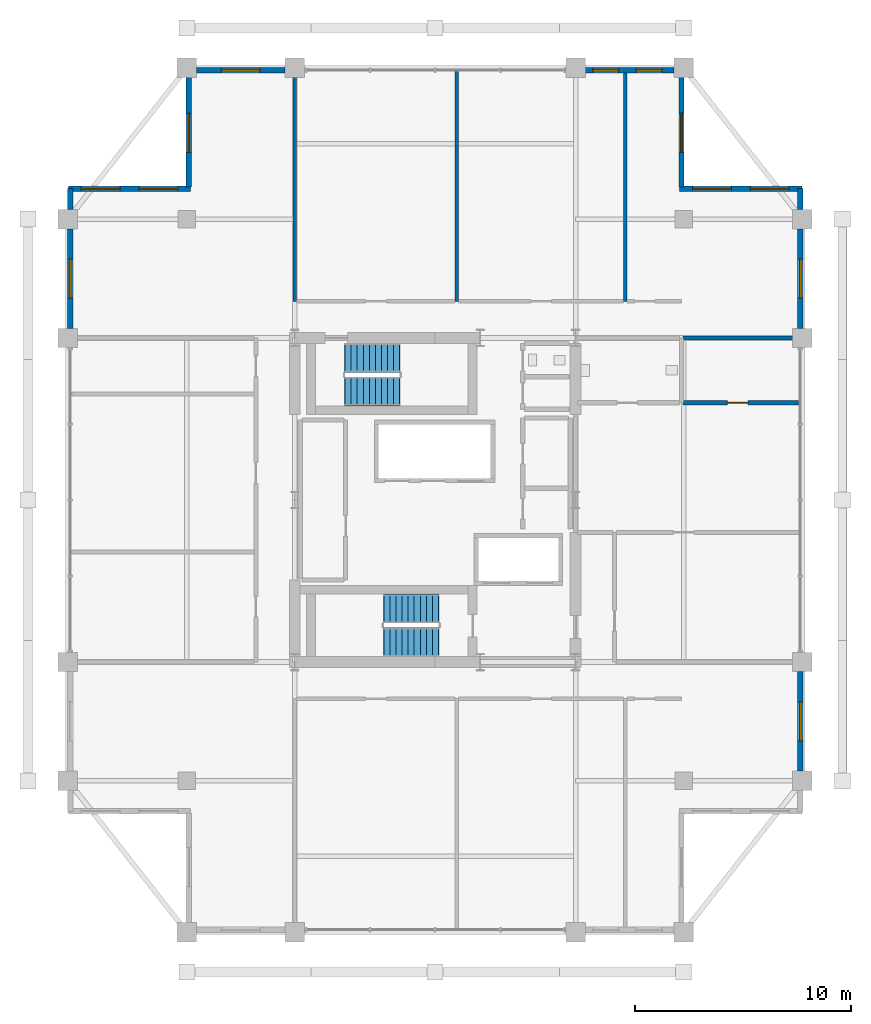
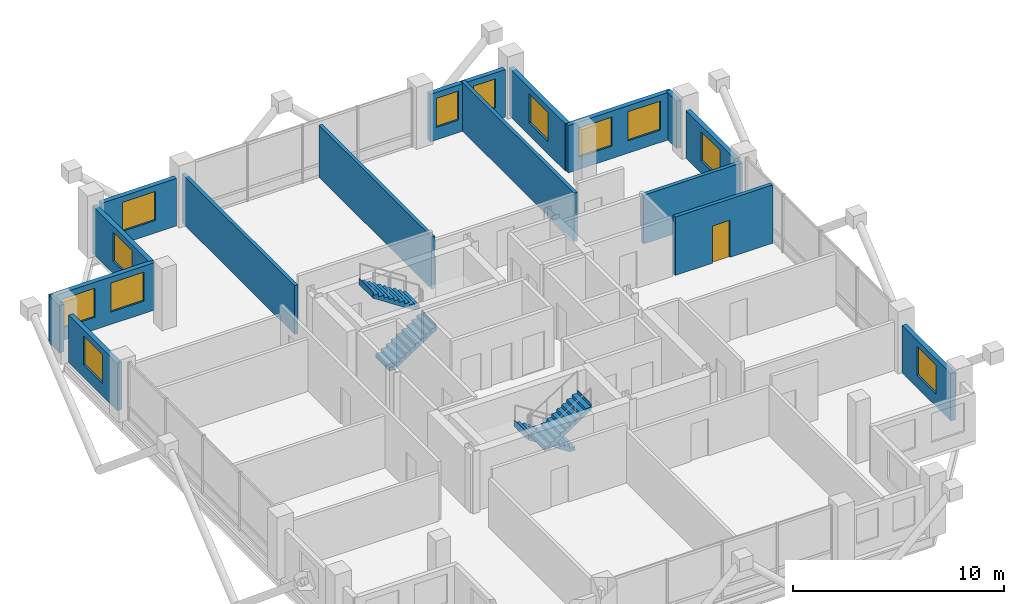
# One storey, part 20 of 22: 16 walls, 12 windows, 4 stair flights, 1 door, 13 openings, 2 elements without a shape of their own.
"""IFC4 building model written with IfcOpenShell, lengths in metres."""

from ifc_helpers import new_model, si_unit, direction, frame, frame_2d, origin, place, context, subcontext, project, spatial, polyline, rectangle, outline, extrude, material, layer, layer_set, type_object, element, fill, aggregate, save


model = new_model("IFC4")

# Units and contexts
model_context = context("Model", 3, precision=1e-05, world=origin(), true_north=direction((0.0, 1.0)))
body_context = subcontext(model_context, "Body", "Model", "MODEL_VIEW")
ifc_project = project(units=[si_unit("LENGTHUNIT", "METRE"), si_unit("AREAUNIT", "SQUARE_METRE"), si_unit("VOLUMEUNIT", "CUBIC_METRE"), si_unit("PLANEANGLEUNIT", "RADIAN"), si_unit("MASSUNIT", "GRAM", prefix="KILO")], contexts=[model_context])

# Site, building, storey
site_placement = place(None, origin())
site = spatial("IfcSite", under=ifc_project, at=site_placement, CompositionType="ELEMENT")
building_placement = place(site_placement, origin())
building = spatial("IfcBuilding", under=site, at=building_placement, Name="Barlavira Tower and Art Museum", CompositionType="ELEMENT")
storey_placement = place(building_placement, frame((0.0, 0.0, 269.10009765625)))
storey = spatial("IfcBuildingStorey", under=building, at=storey_placement, Name="L70", CompositionType="ELEMENT", Elevation=269.10009765625)

# Wall, opening, door
ifc_material_1 = material(Name="Autoclaved aerated concrete masonry", Category="masonry")
ifc_layer_1 = layer(ifc_material_1, 0.199951171875, Name="Autoclaved aerated concrete masonry")
ifc_layer_set_1 = layer_set([ifc_layer_1], Name="Autoclaved aerated concrete masonry")
wall_type_1 = type_object("IfcWallType", Name="Fire Compartment and Shaft Wall 200", PredefinedType="SOLIDWALL", material=ifc_layer_set_1)
wall_1_placement = place(storey_placement, frame((11.47998046875, 4.5, 0.0), z_axis=(0.0, 0.0, 1.0), x_axis=(1.0, 0.0, 0.0)))
wall_1 = element("IfcWall", 1, at=wall_1_placement, inside=storey, type_object=wall_type_1, Name="L70 Partition Wall 30", PredefinedType="SOLIDWALL", context=body_context, shape_type="SweptSolid", body=[
    extrude(rectangle(XDim=5.340087890625, YDim=0.199951171875, at=frame_2d((2.669921875, 0.0))), origin(), (0.0, 0.0, 1.0), 3.3798828125),
])
opening_1_placement = place(wall_1_placement, frame((2.044921875, 0.0, 0.0)))
opening_1 = element("IfcOpeningElement", 2, at=opening_1_placement, cuts=wall_1, Name="Opening FD-60", PredefinedType="OPENING", context=body_context, shape_type="SweptSolid", body=[
    extrude(rectangle(XDim=0.949951171875, YDim=2.14990234375, at=frame_2d((0.47509765625, 1.074951171875))), frame((0.0, 0.10986328125, 0.0), z_axis=(0.0, -1.0, 0.0), x_axis=(1.0, 0.0, 0.0)), (0.0, 0.0, 1.0), 0.219970703125),
])
ifc_material_2 = material(Name="Brushed stainless steel", Category="steel")
door_type = type_object("IfcDoorType", Name="Apartment Entrance and Riser Fire Door 950x2150 FD60S", OperationType="NOTDEFINED", PredefinedType="DOOR", material=ifc_material_2)
door_placement = place(opening_1_placement, origin())
door = element("IfcDoor", 3, at=door_placement, inside=storey, type_object=door_type, Name="High-Rise Amenity Linen Store Door", OperationType="SINGLE_SWING_LEFT", OverallHeight=2.14990234375, OverallWidth=0.949951171875, PredefinedType="DOOR", context=body_context, shape_type="SweptSolid", body=[
    extrude(rectangle(XDim=0.949951171875, YDim=2.14990234375, at=frame_2d((0.47509765625, 1.074951171875))), frame((0.0, 0.02490234375, 0.0), z_axis=(0.0, -1.0, 0.0), x_axis=(1.0, 0.0, 0.0)), (0.0, 0.0, 1.0), 0.050048828125),
])
fill(opening_1, door)

# Walls
wall_2_placement = place(storey_placement, frame((11.47998046875, 7.5, 0.0), z_axis=(0.0, 0.0, 1.0), x_axis=(1.0, 0.0, 0.0)))
element("IfcWall", 4, at=wall_2_placement, inside=storey, type_object=wall_type_1, Name="L70 Partition Wall 36", PredefinedType="SOLIDWALL", context=body_context, shape_type="SweptSolid", body=[
    extrude(rectangle(XDim=5.419921875, YDim=0.199951171875, at=frame_2d((2.7099609375, 0.0))), origin(), (0.0, 0.0, 1.0), 2.825927734375),
])
ifc_material_3 = material(Name="Gypsum acoustic stud partition", Category="gypsum")
ifc_layer_2 = layer(ifc_material_3, 0.179931640625, Name="Gypsum acoustic stud partition")
ifc_layer_set_2 = layer_set([ifc_layer_2], Name="Gypsum acoustic stud partition")
wall_type_2 = type_object("IfcWallType", Name="Inter-Tenancy Party Partition Wall 180", PredefinedType="PARTITIONING", material=ifc_layer_set_2)
wall_3_placement = place(storey_placement, frame((-6.5, 9.199951171875, 0.0), z_axis=(0.0, 0.0, 1.0), x_axis=(0.0, 1.0, 0.0)))
element("IfcWall", 5, at=wall_3_placement, inside=storey, type_object=wall_type_2, Name="L70 Partition Wall 3", PredefinedType="PARTITIONING", context=body_context, shape_type="SweptSolid", body=[
    extrude(rectangle(XDim=10.699951171875, YDim=0.179931640625, at=frame_2d((5.35009765625, 0.0))), origin(), (0.0, 0.0, 1.0), 2.825927734375),
])
wall_4_placement = place(storey_placement, frame((1.0, 9.199951171875, 0.0), z_axis=(0.0, 0.0, 1.0), x_axis=(0.0, 1.0, 0.0)))
element("IfcWall", 6, at=wall_4_placement, inside=storey, type_object=wall_type_2, Name="L70 Partition Wall 7", PredefinedType="PARTITIONING", context=body_context, shape_type="SweptSolid", body=[
    extrude(rectangle(XDim=10.699951171875, YDim=0.179931640625, at=frame_2d((5.35009765625, 0.0))), origin(), (0.0, 0.0, 1.0), 3.017822265625),
])
wall_5_placement = place(storey_placement, frame((8.800048828125, 9.199951171875, 0.0), z_axis=(0.0, 0.0, 1.0), x_axis=(0.0, 1.0, 0.0)))
element("IfcWall", 7, at=wall_5_placement, inside=storey, type_object=wall_type_2, Name="L70 Partition Wall 14", PredefinedType="PARTITIONING", context=body_context, shape_type="SweptSolid", body=[
    extrude(rectangle(XDim=10.699951171875, YDim=0.179931640625, at=frame_2d((5.35009765625, 0.0))), origin(), (0.0, 0.0, 1.0), 2.825927734375),
])

# Wall, openings, windows
ifc_material_4 = material(Name="Precast concrete C40", Category="concrete")
ifc_layer_3 = layer(ifc_material_4, 0.25, Name="Precast concrete C40")
ifc_layer_set_3 = layer_set([ifc_layer_3], Name="Precast concrete C40")
wall_type_3 = type_object("IfcWallType", Name="Notched Corner Spandrel Wall 250 Precast Concrete C40", PredefinedType="SOLIDWALL", material=ifc_layer_set_3)
wall_6_placement = place(storey_placement, frame((11.054931640625, 19.89990234375, 0.0), z_axis=(0.0, 0.0, 1.0), x_axis=(-1.0, 0.0, 0.0)))
wall_6 = element("IfcWall", 8, at=wall_6_placement, inside=storey, type_object=wall_type_3, Name="L70 Coastal Facade Pier Wall CW4-L70-N-1", PredefinedType="SOLIDWALL", context=body_context, shape_type="SweptSolid", body=[
    extrude(rectangle(XDim=4.10986328125, YDim=0.25, at=frame_2d((2.054931640625, 0.0))), origin(), (0.0, 0.0, 1.0), 2.747802734375),
])
opening_2_placement = place(wall_6_placement, frame((0.550048828125, 0.0, 0.719970703125)))
opening_2 = element("IfcOpeningElement", 9, at=opening_2_placement, cuts=wall_6, Name="Opening WN-05", PredefinedType="OPENING", context=body_context, shape_type="SweptSolid", body=[
    extrude(rectangle(XDim=1.199951171875, YDim=1.679931640625, at=frame_2d((0.60009765625, 0.83984375))), frame((0.0, 0.135009765625, 0.0), z_axis=(0.0, -1.0, 0.0), x_axis=(1.0, 0.0, 0.0)), (0.0, 0.0, 1.0), 0.27001953125),
])
opening_3_placement = place(wall_6_placement, frame((2.56005859375, 0.0, 0.719970703125)))
opening_3 = element("IfcOpeningElement", 10, at=opening_3_placement, cuts=wall_6, Name="Opening WN-05", PredefinedType="OPENING", context=body_context, shape_type="SweptSolid", body=[
    extrude(rectangle(XDim=1.199951171875, YDim=1.679931640625, at=frame_2d((0.60009765625, 0.83984375))), frame((0.0, 0.135009765625, 0.0), z_axis=(0.0, -1.0, 0.0), x_axis=(1.0, 0.0, 0.0)), (0.0, 0.0, 1.0), 0.27001953125),
])
ifc_material_5 = material(Name="Low-iron coastal laminated glass", Category="glass")
window_type_1 = type_object("IfcWindowType", Name="Recessed Flank Pier Punch Window 1200x1680", PartitioningType="SINGLE_PANEL", PredefinedType="WINDOW", material=ifc_material_5)
window_1_placement = place(opening_2_placement, origin())
window_1 = element("IfcWindow", 11, at=window_1_placement, inside=storey, type_object=window_type_1, Name="L70 Punched Facade Window EWP-CW4-L70-N-1-1", OverallHeight=1.679931640625, OverallWidth=1.199951171875, PartitioningType="SINGLE_PANEL", PredefinedType="WINDOW", context=body_context, shape_type="SweptSolid", body=[
    extrude(rectangle(XDim=1.199951171875, YDim=1.679931640625, at=frame_2d((0.60009765625, 0.83984375))), frame((0.0, 0.030029296875, 0.0), z_axis=(0.0, -1.0, 0.0), x_axis=(1.0, 0.0, 0.0)), (0.0, 0.0, 1.0), 0.06005859375),
])
fill(opening_2, window_1)
window_2_placement = place(opening_3_placement, origin())
window_2 = element("IfcWindow", 12, at=window_2_placement, inside=storey, type_object=window_type_1, Name="L70 Punched Facade Window EWP-CW4-L70-N-1-2", OverallHeight=1.679931640625, OverallWidth=1.199951171875, PartitioningType="SINGLE_PANEL", PredefinedType="WINDOW", context=body_context, shape_type="SweptSolid", body=[
    extrude(rectangle(XDim=1.199951171875, YDim=1.679931640625, at=frame_2d((0.60009765625, 0.83984375))), frame((0.0, 0.030029296875, 0.0), z_axis=(0.0, -1.0, 0.0), x_axis=(1.0, 0.0, 0.0)), (0.0, 0.0, 1.0), 0.06005859375),
])
fill(opening_3, window_2)

# Wall, opening, window
wall_7_placement = place(storey_placement, frame((-6.945068359375, 19.89990234375, 0.0), z_axis=(0.0, 0.0, 1.0), x_axis=(-1.0, 0.0, 0.0)))
wall_7 = element("IfcWall", 13, at=wall_7_placement, inside=storey, type_object=wall_type_3, Name="L70 Coastal Facade Pier Wall CW4-L70-N-3", PredefinedType="SOLIDWALL", context=body_context, shape_type="SweptSolid", body=[
    extrude(rectangle(XDim=4.10986328125, YDim=0.25, at=frame_2d((2.054931640625, 0.0))), origin(), (0.0, 0.0, 1.0), 2.747802734375),
])
opening_4_placement = place(wall_7_placement, frame((1.155029296875, 0.0, 0.719970703125)))
opening_4 = element("IfcOpeningElement", 14, at=opening_4_placement, cuts=wall_7, Name="Opening WN-01", PredefinedType="OPENING", context=body_context, shape_type="SweptSolid", body=[
    extrude(rectangle(XDim=1.800048828125, YDim=1.679931640625, at=frame_2d((0.89990234375, 0.83984375))), frame((0.0, 0.135009765625, 0.0), z_axis=(0.0, -1.0, 0.0), x_axis=(1.0, 0.0, 0.0)), (0.0, 0.0, 1.0), 0.27001953125),
])
window_type_2 = type_object("IfcWindowType", Name="Recessed Notch Corner Punch Window 1800x1680", PartitioningType="SINGLE_PANEL", PredefinedType="WINDOW", material=ifc_material_5)
window_3_placement = place(opening_4_placement, origin())
window_3 = element("IfcWindow", 15, at=window_3_placement, inside=storey, type_object=window_type_2, Name="L70 Punched Facade Window EWP-CW4-L70-N-3-1", OverallHeight=1.679931640625, OverallWidth=1.800048828125, PartitioningType="SINGLE_PANEL", PredefinedType="WINDOW", context=body_context, shape_type="SweptSolid", body=[
    extrude(rectangle(XDim=1.800048828125, YDim=1.679931640625, at=frame_2d((0.89990234375, 0.83984375))), frame((0.0, 0.030029296875, 0.0), z_axis=(0.0, -1.0, 0.0), x_axis=(1.0, 0.0, 0.0)), (0.0, 0.0, 1.0), 0.06005859375),
])
fill(opening_4, window_3)

# Wall
wall_8_placement = place(storey_placement, frame((-16.89990234375, 14.425048828125, 0.0), z_axis=(0.0, 0.0, 1.0), x_axis=(0.0, -1.0, 0.0)))
element("IfcWall", 16, at=wall_8_placement, inside=storey, type_object=wall_type_3, Name="L70 Coastal Facade Pier Wall CW4-L70-W-1", PredefinedType="SOLIDWALL", context=body_context, shape_type="SweptSolid", body=[
    extrude(rectangle(XDim=0.97998046875, YDim=0.25, at=frame_2d((0.489990234375, 0.0))), origin(), (0.0, 0.0, 1.0), 2.747802734375),
])

# Wall, opening, window
wall_9_placement = place(storey_placement, frame((-16.89990234375, 12.554931640625, 0.0), z_axis=(0.0, 0.0, 1.0), x_axis=(0.0, -1.0, 0.0)))
wall_9 = element("IfcWall", 17, at=wall_9_placement, inside=storey, type_object=wall_type_3, Name="L70 Coastal Facade Pier Wall CW4-L70-W-2", PredefinedType="SOLIDWALL", context=body_context, shape_type="SweptSolid", body=[
    extrude(rectangle(XDim=4.60986328125, YDim=0.25, at=frame_2d((2.304931640625, 0.0))), origin(), (0.0, 0.0, 1.0), 2.747802734375),
])
opening_5_placement = place(wall_9_placement, frame((1.405029296875, 0.0, 0.719970703125)))
opening_5 = element("IfcOpeningElement", 18, at=opening_5_placement, cuts=wall_9, Name="Opening WN-01", PredefinedType="OPENING", context=body_context, shape_type="SweptSolid", body=[
    extrude(rectangle(XDim=1.800048828125, YDim=1.679931640625, at=frame_2d((0.89990234375, 0.83984375))), frame((0.0, 0.135009765625, 0.0), z_axis=(0.0, -1.0, 0.0), x_axis=(1.0, 0.0, 0.0)), (0.0, 0.0, 1.0), 0.27001953125),
])
window_4_placement = place(opening_5_placement, origin())
window_4 = element("IfcWindow", 19, at=window_4_placement, inside=storey, type_object=window_type_2, Name="L70 Punched Facade Window EWP-CW4-L70-W-2-1", OverallHeight=1.679931640625, OverallWidth=1.800048828125, PartitioningType="SINGLE_PANEL", PredefinedType="WINDOW", context=body_context, shape_type="SweptSolid", body=[
    extrude(rectangle(XDim=1.800048828125, YDim=1.679931640625, at=frame_2d((0.89990234375, 0.83984375))), frame((0.0, 0.030029296875, 0.0), z_axis=(0.0, -1.0, 0.0), x_axis=(1.0, 0.0, 0.0)), (0.0, 0.0, 1.0), 0.06005859375),
])
fill(opening_5, window_4)

wall_10_placement = place(storey_placement, frame((16.89990234375, -12.554931640625, 0.0), z_axis=(0.0, 0.0, 1.0), x_axis=(0.0, 1.0, 0.0)))
wall_10 = element("IfcWall", 20, at=wall_10_placement, inside=storey, type_object=wall_type_3, Name="L70 Coastal Facade Pier Wall CW4-L70-E-2", PredefinedType="SOLIDWALL", context=body_context, shape_type="SweptSolid", body=[
    extrude(rectangle(XDim=4.60986328125, YDim=0.25, at=frame_2d((2.304931640625, 0.0))), origin(), (0.0, 0.0, 1.0), 2.747802734375),
])
opening_6_placement = place(wall_10_placement, frame((1.405029296875, 0.0, 0.719970703125)))
opening_6 = element("IfcOpeningElement", 21, at=opening_6_placement, cuts=wall_10, Name="Opening WN-01", PredefinedType="OPENING", context=body_context, shape_type="SweptSolid", body=[
    extrude(rectangle(XDim=1.800048828125, YDim=1.679931640625, at=frame_2d((0.89990234375, 0.83984375))), frame((0.0, 0.135009765625, 0.0), z_axis=(0.0, -1.0, 0.0), x_axis=(1.0, 0.0, 0.0)), (0.0, 0.0, 1.0), 0.27001953125),
])
window_5_placement = place(opening_6_placement, origin())
window_5 = element("IfcWindow", 22, at=window_5_placement, inside=storey, type_object=window_type_2, Name="L70 Punched Facade Window EWP-CW4-L70-E-2-1", OverallHeight=1.679931640625, OverallWidth=1.800048828125, PartitioningType="SINGLE_PANEL", PredefinedType="WINDOW", context=body_context, shape_type="SweptSolid", body=[
    extrude(rectangle(XDim=1.800048828125, YDim=1.679931640625, at=frame_2d((0.89990234375, 0.83984375))), frame((0.0, 0.030029296875, 0.0), z_axis=(0.0, -1.0, 0.0), x_axis=(1.0, 0.0, 0.0)), (0.0, 0.0, 1.0), 0.06005859375),
])
fill(opening_6, window_5)

wall_11_placement = place(storey_placement, frame((16.89990234375, 7.945068359375, 0.0), z_axis=(0.0, 0.0, 1.0), x_axis=(0.0, 1.0, 0.0)))
wall_11 = element("IfcWall", 23, at=wall_11_placement, inside=storey, type_object=wall_type_3, Name="L70 Coastal Facade Pier Wall CW4-L70-E-4", PredefinedType="SOLIDWALL", context=body_context, shape_type="SweptSolid", body=[
    extrude(rectangle(XDim=4.60986328125, YDim=0.25, at=frame_2d((2.304931640625, 0.0))), origin(), (0.0, 0.0, 1.0), 2.747802734375),
])
opening_7_placement = place(wall_11_placement, frame((1.405029296875, 0.0, 0.719970703125)))
opening_7 = element("IfcOpeningElement", 24, at=opening_7_placement, cuts=wall_11, Name="Opening WN-01", PredefinedType="OPENING", context=body_context, shape_type="SweptSolid", body=[
    extrude(rectangle(XDim=1.800048828125, YDim=1.679931640625, at=frame_2d((0.89990234375, 0.83984375))), frame((0.0, 0.135009765625, 0.0), z_axis=(0.0, -1.0, 0.0), x_axis=(1.0, 0.0, 0.0)), (0.0, 0.0, 1.0), 0.27001953125),
])
window_6_placement = place(opening_7_placement, origin())
window_6 = element("IfcWindow", 25, at=window_6_placement, inside=storey, type_object=window_type_2, Name="L70 Punched Facade Window EWP-CW4-L70-E-4-1", OverallHeight=1.679931640625, OverallWidth=1.800048828125, PartitioningType="SINGLE_PANEL", PredefinedType="WINDOW", context=body_context, shape_type="SweptSolid", body=[
    extrude(rectangle(XDim=1.800048828125, YDim=1.679931640625, at=frame_2d((0.89990234375, 0.83984375))), frame((0.0, 0.030029296875, 0.0), z_axis=(0.0, -1.0, 0.0), x_axis=(1.0, 0.0, 0.0)), (0.0, 0.0, 1.0), 0.06005859375),
])
fill(opening_7, window_6)

# Wall
wall_12_placement = place(storey_placement, frame((16.89990234375, 13.445068359375, 0.0), z_axis=(0.0, 0.0, 1.0), x_axis=(0.0, 1.0, 0.0)))
element("IfcWall", 26, at=wall_12_placement, inside=storey, type_object=wall_type_3, Name="L70 Coastal Facade Pier Wall CW4-L70-E-5", PredefinedType="SOLIDWALL", context=body_context, shape_type="SweptSolid", body=[
    extrude(rectangle(XDim=0.97998046875, YDim=0.25, at=frame_2d((0.489990234375, 0.0))), origin(), (0.0, 0.0, 1.0), 2.747802734375),
])

# Wall, openings, windows
wall_13_placement = place(storey_placement, frame((16.97998046875, 14.39990234375, 0.0), z_axis=(0.0, 0.0, 1.0), x_axis=(-1.0, 0.0, 0.0)))
wall_13 = element("IfcWall", 27, at=wall_13_placement, inside=storey, type_object=wall_type_3, Name="L70 Notch Corner Wall NE1", PredefinedType="SOLIDWALL", context=body_context, shape_type="SweptSolid", body=[
    extrude(rectangle(XDim=5.659912109375, YDim=0.25, at=frame_2d((2.830078125, 0.0))), origin(), (0.0, 0.0, 1.0), 2.747802734375),
])
opening_8_placement = place(wall_13_placement, frame((0.594970703125, 0.0, 0.719970703125)))
opening_8 = element("IfcOpeningElement", 28, at=opening_8_placement, cuts=wall_13, Name="Opening WN-01", PredefinedType="OPENING", context=body_context, shape_type="SweptSolid", body=[
    extrude(rectangle(XDim=1.800048828125, YDim=1.679931640625, at=frame_2d((0.89990234375, 0.83984375))), frame((0.0, 0.135009765625, 0.0), z_axis=(0.0, -1.0, 0.0), x_axis=(1.0, 0.0, 0.0)), (0.0, 0.0, 1.0), 0.27001953125),
])
opening_9_placement = place(wall_13_placement, frame((3.264892578125, 0.0, 0.719970703125)))
opening_9 = element("IfcOpeningElement", 29, at=opening_9_placement, cuts=wall_13, Name="Opening WN-01", PredefinedType="OPENING", context=body_context, shape_type="SweptSolid", body=[
    extrude(rectangle(XDim=1.800048828125, YDim=1.679931640625, at=frame_2d((0.89990234375, 0.83984375))), frame((0.0, 0.135009765625, 0.0), z_axis=(0.0, -1.0, 0.0), x_axis=(1.0, 0.0, 0.0)), (0.0, 0.0, 1.0), 0.27001953125),
])
window_7_placement = place(opening_8_placement, origin())
window_7 = element("IfcWindow", 30, at=window_7_placement, inside=storey, type_object=window_type_2, Name="L70 Punched Facade Window EW-NTC-L70-NE1-1", OverallHeight=1.679931640625, OverallWidth=1.800048828125, PartitioningType="SINGLE_PANEL", PredefinedType="WINDOW", context=body_context, shape_type="SweptSolid", body=[
    extrude(rectangle(XDim=1.800048828125, YDim=1.679931640625, at=frame_2d((0.89990234375, 0.83984375))), frame((0.0, 0.030029296875, 0.0), z_axis=(0.0, -1.0, 0.0), x_axis=(1.0, 0.0, 0.0)), (0.0, 0.0, 1.0), 0.06005859375),
])
fill(opening_8, window_7)
window_8_placement = place(opening_9_placement, origin())
window_8 = element("IfcWindow", 31, at=window_8_placement, inside=storey, type_object=window_type_2, Name="L70 Punched Facade Window EW-NTC-L70-NE1-2", OverallHeight=1.679931640625, OverallWidth=1.800048828125, PartitioningType="SINGLE_PANEL", PredefinedType="WINDOW", context=body_context, shape_type="SweptSolid", body=[
    extrude(rectangle(XDim=1.800048828125, YDim=1.679931640625, at=frame_2d((0.89990234375, 0.83984375))), frame((0.0, 0.030029296875, 0.0), z_axis=(0.0, -1.0, 0.0), x_axis=(1.0, 0.0, 0.0)), (0.0, 0.0, 1.0), 0.06005859375),
])
fill(opening_9, window_8)

# Wall, opening, window
wall_14_placement = place(storey_placement, frame((11.39990234375, 14.47998046875, 0.0), z_axis=(0.0, 0.0, 1.0), x_axis=(0.0, 1.0, 0.0)))
wall_14 = element("IfcWall", 32, at=wall_14_placement, inside=storey, type_object=wall_type_3, Name="L70 Notch Corner Wall NE2", PredefinedType="SOLIDWALL", context=body_context, shape_type="SweptSolid", body=[
    extrude(rectangle(XDim=5.340087890625, YDim=0.25, at=frame_2d((2.669921875, 0.0))), origin(), (0.0, 0.0, 1.0), 2.747802734375),
])
opening_10_placement = place(wall_14_placement, frame((1.614990234375, 0.0, 0.719970703125)))
opening_10 = element("IfcOpeningElement", 33, at=opening_10_placement, cuts=wall_14, Name="Opening WN-01", PredefinedType="OPENING", context=body_context, shape_type="SweptSolid", body=[
    extrude(rectangle(XDim=1.800048828125, YDim=1.679931640625, at=frame_2d((0.89990234375, 0.83984375))), frame((0.0, 0.135009765625, 0.0), z_axis=(0.0, -1.0, 0.0), x_axis=(1.0, 0.0, 0.0)), (0.0, 0.0, 1.0), 0.27001953125),
])
window_9_placement = place(opening_10_placement, origin())
window_9 = element("IfcWindow", 34, at=window_9_placement, inside=storey, type_object=window_type_2, Name="L70 Punched Facade Window EW-NTC-L70-NE2-1", OverallHeight=1.679931640625, OverallWidth=1.800048828125, PartitioningType="SINGLE_PANEL", PredefinedType="WINDOW", context=body_context, shape_type="SweptSolid", body=[
    extrude(rectangle(XDim=1.800048828125, YDim=1.679931640625, at=frame_2d((0.89990234375, 0.83984375))), frame((0.0, 0.030029296875, 0.0), z_axis=(0.0, -1.0, 0.0), x_axis=(1.0, 0.0, 0.0)), (0.0, 0.0, 1.0), 0.06005859375),
])
fill(opening_10, window_9)

wall_15_placement = place(storey_placement, frame((-11.39990234375, 19.820068359375, 0.0), z_axis=(0.0, 0.0, 1.0), x_axis=(0.0, -1.0, 0.0)))
wall_15 = element("IfcWall", 35, at=wall_15_placement, inside=storey, type_object=wall_type_3, Name="L70 Notch Corner Wall NW1", PredefinedType="SOLIDWALL", context=body_context, shape_type="SweptSolid", body=[
    extrude(rectangle(XDim=5.340087890625, YDim=0.25, at=frame_2d((2.669921875, 0.0))), origin(), (0.0, 0.0, 1.0), 2.747802734375),
])
opening_11_placement = place(wall_15_placement, frame((1.925048828125, 0.0, 0.719970703125)))
opening_11 = element("IfcOpeningElement", 36, at=opening_11_placement, cuts=wall_15, Name="Opening WN-01", PredefinedType="OPENING", context=body_context, shape_type="SweptSolid", body=[
    extrude(rectangle(XDim=1.800048828125, YDim=1.679931640625, at=frame_2d((0.89990234375, 0.83984375))), frame((0.0, 0.135009765625, 0.0), z_axis=(0.0, -1.0, 0.0), x_axis=(1.0, 0.0, 0.0)), (0.0, 0.0, 1.0), 0.27001953125),
])
window_10_placement = place(opening_11_placement, origin())
window_10 = element("IfcWindow", 37, at=window_10_placement, inside=storey, type_object=window_type_2, Name="L70 Punched Facade Window EW-NTC-L70-NW1-1", OverallHeight=1.679931640625, OverallWidth=1.800048828125, PartitioningType="SINGLE_PANEL", PredefinedType="WINDOW", context=body_context, shape_type="SweptSolid", body=[
    extrude(rectangle(XDim=1.800048828125, YDim=1.679931640625, at=frame_2d((0.89990234375, 0.83984375))), frame((0.0, 0.030029296875, 0.0), z_axis=(0.0, -1.0, 0.0), x_axis=(1.0, 0.0, 0.0)), (0.0, 0.0, 1.0), 0.06005859375),
])
fill(opening_11, window_10)

# Wall, openings, windows
wall_16_placement = place(storey_placement, frame((-11.320068359375, 14.39990234375, 0.0), z_axis=(0.0, 0.0, 1.0), x_axis=(-1.0, 0.0, 0.0)))
wall_16 = element("IfcWall", 38, at=wall_16_placement, inside=storey, type_object=wall_type_3, Name="L70 Notch Corner Wall NW2", PredefinedType="SOLIDWALL", context=body_context, shape_type="SweptSolid", body=[
    extrude(rectangle(XDim=5.659912109375, YDim=0.25, at=frame_2d((2.830078125, 0.0))), origin(), (0.0, 0.0, 1.0), 2.747802734375),
])
opening_12_placement = place(wall_16_placement, frame((0.594970703125, 0.0, 0.719970703125)))
opening_12 = element("IfcOpeningElement", 39, at=opening_12_placement, cuts=wall_16, Name="Opening WN-01", PredefinedType="OPENING", context=body_context, shape_type="SweptSolid", body=[
    extrude(rectangle(XDim=1.800048828125, YDim=1.679931640625, at=frame_2d((0.89990234375, 0.83984375))), frame((0.0, 0.135009765625, 0.0), z_axis=(0.0, -1.0, 0.0), x_axis=(1.0, 0.0, 0.0)), (0.0, 0.0, 1.0), 0.27001953125),
])
opening_13_placement = place(wall_16_placement, frame((3.264892578125, 0.0, 0.719970703125)))
opening_13 = element("IfcOpeningElement", 40, at=opening_13_placement, cuts=wall_16, Name="Opening WN-01", PredefinedType="OPENING", context=body_context, shape_type="SweptSolid", body=[
    extrude(rectangle(XDim=1.800048828125, YDim=1.679931640625, at=frame_2d((0.89990234375, 0.83984375))), frame((0.0, 0.135009765625, 0.0), z_axis=(0.0, -1.0, 0.0), x_axis=(1.0, 0.0, 0.0)), (0.0, 0.0, 1.0), 0.27001953125),
])
window_11_placement = place(opening_12_placement, origin())
window_11 = element("IfcWindow", 41, at=window_11_placement, inside=storey, type_object=window_type_2, Name="L70 Punched Facade Window EW-NTC-L70-NW2-1", OverallHeight=1.679931640625, OverallWidth=1.800048828125, PartitioningType="SINGLE_PANEL", PredefinedType="WINDOW", context=body_context, shape_type="SweptSolid", body=[
    extrude(rectangle(XDim=1.800048828125, YDim=1.679931640625, at=frame_2d((0.89990234375, 0.83984375))), frame((0.0, 0.030029296875, 0.0), z_axis=(0.0, -1.0, 0.0), x_axis=(1.0, 0.0, 0.0)), (0.0, 0.0, 1.0), 0.06005859375),
])
fill(opening_12, window_11)
window_12_placement = place(opening_13_placement, origin())
window_12 = element("IfcWindow", 42, at=window_12_placement, inside=storey, type_object=window_type_2, Name="L70 Punched Facade Window EW-NTC-L70-NW2-2", OverallHeight=1.679931640625, OverallWidth=1.800048828125, PartitioningType="SINGLE_PANEL", PredefinedType="WINDOW", context=body_context, shape_type="SweptSolid", body=[
    extrude(rectangle(XDim=1.800048828125, YDim=1.679931640625, at=frame_2d((0.89990234375, 0.83984375))), frame((0.0, 0.030029296875, 0.0), z_axis=(0.0, -1.0, 0.0), x_axis=(1.0, 0.0, 0.0)), (0.0, 0.0, 1.0), 0.06005859375),
])
fill(opening_13, window_12)

# Stair, stair flights
ifc_material_6 = material(Name="Concrete C45", Category="concrete")
stair_type_1 = type_object("IfcStairType", Name="Tower North Dog-Leg Exit Stair Assembly Concrete C45", PredefinedType="TWO_QUARTER_TURN_STAIR", material=ifc_material_6)
stair_1_placement = place(storey_placement, origin())
stair_1 = element("IfcStair", 43, at=stair_1_placement, inside=storey, type_object=stair_type_1, Name="L70 Tower North Exit Stair ST-T2", PredefinedType="TWO_QUARTER_TURN_STAIR")
ifc_material_7 = material(Name="Precast concrete C45", Category="concrete")
stair_flight_type_1 = type_object("IfcStairFlightType", Name="Tower North Dog-Leg Exit Stair Precast Flight 1350 Concrete C45", PredefinedType="STRAIGHT", material=ifc_material_7)
stair_flight_1_placement = place(storey_placement, frame((-4.169921875, 5.02490234375, 0.0), z_axis=(0.0, 0.0, 1.0), x_axis=(1.0, 0.0, 0.0)))
stair_flight_1 = element("IfcStairFlight", 44, at=stair_flight_1_placement, type_object=stair_flight_type_1, Name="ST-T2 flight 1", NumberOfRisers=10, NumberOfTreads=9, PredefinedType="STRAIGHT", RiserHeight=0.18, TreadLength=0.28, context=body_context, shape_type="SweptSolid", body=[
    extrude(outline(polyline([(-0.02490234375, 0.0), (0.0, 0.0), (0.0, 0.179931640625), (0.280029296875, 0.179931640625), (0.280029296875, 0.360107421875), (0.56005859375, 0.360107421875), (0.56005859375, 0.5400390625), (0.840087890625, 0.5400390625), (0.840087890625, 0.719970703125), (1.1201171875, 0.719970703125), (1.1201171875, 0.89990234375), (1.39990234375, 0.89990234375), (1.39990234375, 1.080078125), (1.679931640625, 1.080078125), (1.679931640625, 1.260009765625), (1.9599609375, 1.260009765625), (1.9599609375, 1.43994140625), (2.239990234375, 1.43994140625), (2.239990234375, 1.6201171875), (2.52001953125, 1.6201171875), (2.52001953125, 1.800048828125), (2.544921875, 1.800048828125), (2.544921875, 1.44189453125), (2.52001953125, 1.44189453125), (0.277099609375, -0.02490234375), (-0.02490234375, -0.02490234375), (-0.02490234375, 0.0)])), frame((0.0, 0.675048828125, 0.0), z_axis=(0.0, -1.0, 0.0), x_axis=(1.0, 0.0, 0.0)), (0.0, 0.0, 1.0), 1.35009765625),
])
stair_flight_2_placement = place(storey_placement, frame((-1.64990234375, 6.574951171875, 1.7998046875), z_axis=(0.0, 0.0, 1.0), x_axis=(-1.0, 0.0, 0.0)))
stair_flight_2 = element("IfcStairFlight", 45, at=stair_flight_2_placement, type_object=stair_flight_type_1, Name="ST-T2 flight 2", NumberOfRisers=10, NumberOfTreads=9, PredefinedType="STRAIGHT", RiserHeight=0.18, TreadLength=0.28, context=body_context, shape_type="SweptSolid", body=[
    extrude(outline(polyline([(-0.02490234375, 0.0), (0.0, 0.0), (0.0, 0.179931640625), (0.280029296875, 0.179931640625), (0.280029296875, 0.360107421875), (0.56005859375, 0.360107421875), (0.56005859375, 0.5400390625), (0.840087890625, 0.5400390625), (0.840087890625, 0.719970703125), (1.1201171875, 0.719970703125), (1.1201171875, 0.89990234375), (1.39990234375, 0.89990234375), (1.39990234375, 1.080078125), (1.679931640625, 1.080078125), (1.679931640625, 1.260009765625), (1.9599609375, 1.260009765625), (1.9599609375, 1.43994140625), (2.239990234375, 1.43994140625), (2.239990234375, 1.6201171875), (2.52001953125, 1.6201171875), (2.52001953125, 1.800048828125), (2.544921875, 1.800048828125), (2.544921875, 1.44189453125), (2.52001953125, 1.44189453125), (0.277099609375, -0.02490234375), (-0.02490234375, -0.02490234375), (-0.02490234375, 0.0)])), frame((0.0, 0.675048828125, 0.0), z_axis=(0.0, -1.0, 0.0), x_axis=(1.0, 0.0, 0.0)), (0.0, 0.0, 1.0), 1.35009765625),
])
aggregate(stair_1, [stair_flight_1, stair_flight_2])

stair_type_2 = type_object("IfcStairType", Name="Tower South Dog-Leg Exit Stair Assembly Concrete C45", PredefinedType="TWO_QUARTER_TURN_STAIR", material=ifc_material_6)
stair_2_placement = place(storey_placement, origin())
stair_2 = element("IfcStair", 46, at=stair_2_placement, inside=storey, type_object=stair_type_2, Name="L70 Tower South Exit Stair ST-T1", PredefinedType="TWO_QUARTER_TURN_STAIR")
stair_flight_type_2 = type_object("IfcStairFlightType", Name="Tower South Dog-Leg Exit Stair Precast Flight 1350 Concrete C45", PredefinedType="STRAIGHT", material=ifc_material_7)
stair_flight_3_placement = place(storey_placement, frame((0.14990234375, -5.02490234375, 0.0), z_axis=(0.0, 0.0, 1.0), x_axis=(-1.0, 0.0, 0.0)))
stair_flight_3 = element("IfcStairFlight", 47, at=stair_flight_3_placement, type_object=stair_flight_type_2, Name="ST-T1 flight 1", NumberOfRisers=10, NumberOfTreads=9, PredefinedType="STRAIGHT", RiserHeight=0.18, TreadLength=0.28, context=body_context, shape_type="SweptSolid", body=[
    extrude(outline(polyline([(-0.02490234375, 0.0), (0.0, 0.0), (0.0, 0.179931640625), (0.280029296875, 0.179931640625), (0.280029296875, 0.360107421875), (0.56005859375, 0.360107421875), (0.56005859375, 0.5400390625), (0.840087890625, 0.5400390625), (0.840087890625, 0.719970703125), (1.1201171875, 0.719970703125), (1.1201171875, 0.89990234375), (1.39990234375, 0.89990234375), (1.39990234375, 1.080078125), (1.679931640625, 1.080078125), (1.679931640625, 1.260009765625), (1.9599609375, 1.260009765625), (1.9599609375, 1.43994140625), (2.239990234375, 1.43994140625), (2.239990234375, 1.6201171875), (2.52001953125, 1.6201171875), (2.52001953125, 1.800048828125), (2.544921875, 1.800048828125), (2.544921875, 1.44189453125), (2.52001953125, 1.44189453125), (0.277099609375, -0.02490234375), (-0.02490234375, -0.02490234375), (-0.02490234375, 0.0)])), frame((0.0, 0.675048828125, 0.0), z_axis=(0.0, -1.0, 0.0), x_axis=(1.0, 0.0, 0.0)), (0.0, 0.0, 1.0), 1.35009765625),
])
stair_flight_4_placement = place(storey_placement, frame((-2.3701171875, -6.574951171875, 1.7998046875), z_axis=(0.0, 0.0, 1.0), x_axis=(1.0, 0.0, 0.0)))
stair_flight_4 = element("IfcStairFlight", 48, at=stair_flight_4_placement, type_object=stair_flight_type_2, Name="ST-T1 flight 2", NumberOfRisers=10, NumberOfTreads=9, PredefinedType="STRAIGHT", RiserHeight=0.18, TreadLength=0.28, context=body_context, shape_type="SweptSolid", body=[
    extrude(outline(polyline([(-0.02490234375, 0.0), (0.0, 0.0), (0.0, 0.179931640625), (0.280029296875, 0.179931640625), (0.280029296875, 0.360107421875), (0.56005859375, 0.360107421875), (0.56005859375, 0.5400390625), (0.840087890625, 0.5400390625), (0.840087890625, 0.719970703125), (1.1201171875, 0.719970703125), (1.1201171875, 0.89990234375), (1.39990234375, 0.89990234375), (1.39990234375, 1.080078125), (1.679931640625, 1.080078125), (1.679931640625, 1.260009765625), (1.9599609375, 1.260009765625), (1.9599609375, 1.43994140625), (2.239990234375, 1.43994140625), (2.239990234375, 1.6201171875), (2.52001953125, 1.6201171875), (2.52001953125, 1.800048828125), (2.544921875, 1.800048828125), (2.544921875, 1.44189453125), (2.52001953125, 1.44189453125), (0.277099609375, -0.02490234375), (-0.02490234375, -0.02490234375), (-0.02490234375, 0.0)])), frame((0.0, 0.675048828125, 0.0), z_axis=(0.0, -1.0, 0.0), x_axis=(1.0, 0.0, 0.0)), (0.0, 0.0, 1.0), 1.35009765625),
])
aggregate(stair_2, [stair_flight_3, stair_flight_4])

save(model, "model.ifc")
